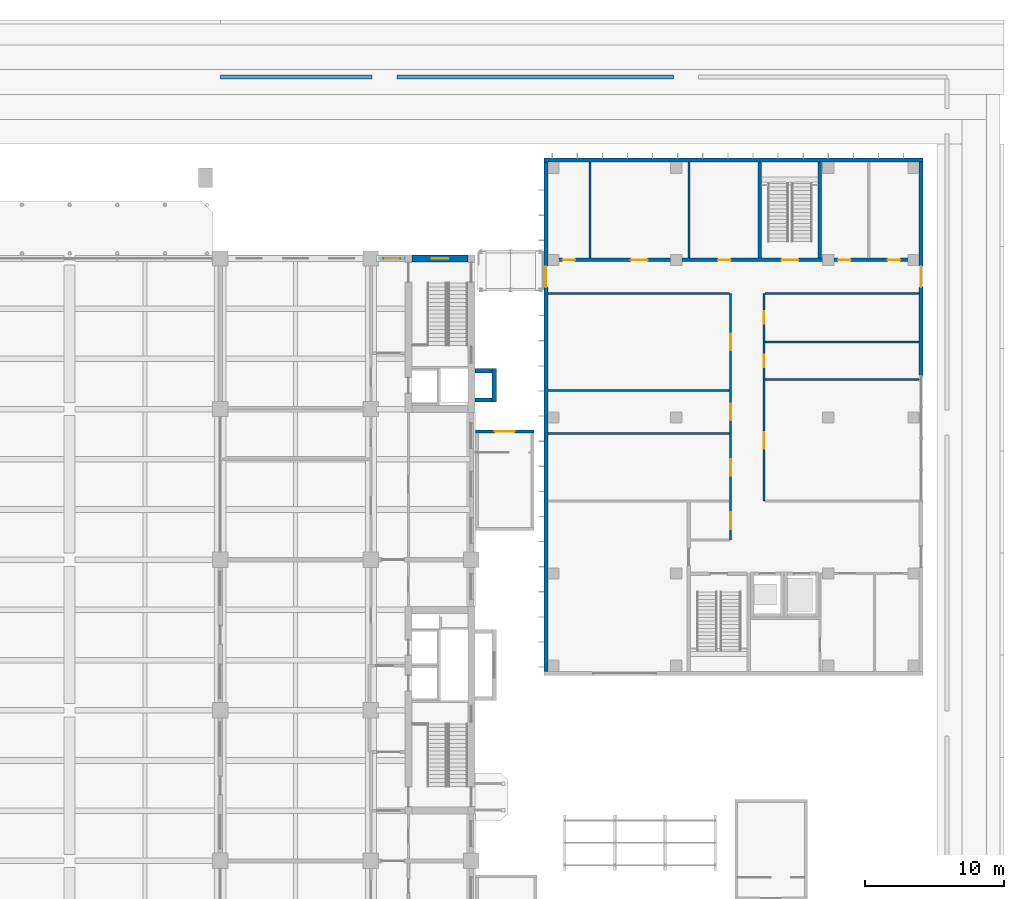
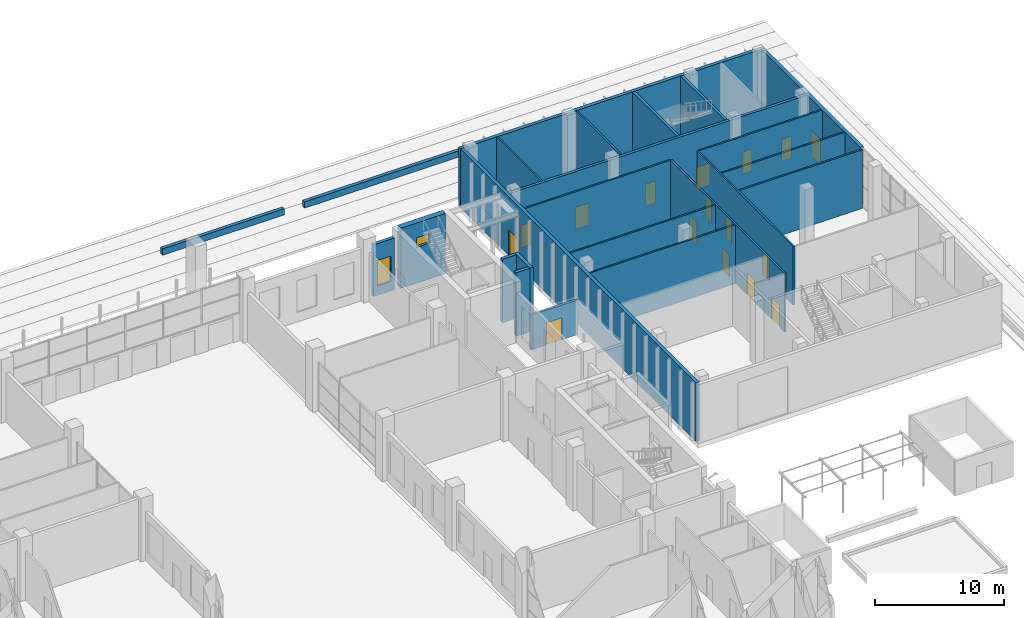
# One storey, part 57 of 71: 24 walls, 16 doors, 2 windows, 18 openings.
"""IFC4 building model written with IfcOpenShell, lengths in metres."""

from ifc_helpers import new_model, si_unit, direction, frame, frame_2d, origin, place, context, subcontext, project, spatial, rectangle, extrude, material, layer, layer_set, type_object, element, fill, save


model = new_model("IFC4")

# Units and contexts
model_context = context("Model", 3, precision=1e-05, world=origin(), true_north=direction((0.0, 1.0)))
body_context = subcontext(model_context, "Body", "Model", "MODEL_VIEW")
ifc_project = project(units=[si_unit("LENGTHUNIT", "METRE"), si_unit("AREAUNIT", "SQUARE_METRE"), si_unit("VOLUMEUNIT", "CUBIC_METRE"), si_unit("PLANEANGLEUNIT", "RADIAN"), si_unit("MASSUNIT", "GRAM", prefix="KILO")], contexts=[model_context])

# Site, building, storey
site_placement = place(None, origin())
site = spatial("IfcSite", under=ifc_project, at=site_placement, CompositionType="ELEMENT")
building_placement = place(site_placement, origin())
building = spatial("IfcBuilding", under=site, at=building_placement, Name="Basin Gate Institute", CompositionType="ELEMENT")
storey_placement = place(building_placement, origin())
storey = spatial("IfcBuildingStorey", under=building, at=storey_placement, Name="L00", CompositionType="ELEMENT", Elevation=0.0)

# Wall, openings, doors
ifc_material_1 = material(Name="Concrete 40 MPa", Category="concrete")
ifc_layer_1 = layer(ifc_material_1, 0.25)
ifc_layer_set_1 = layer_set([ifc_layer_1], Name="Concrete 40 MPa")
wall_type_1 = type_object("IfcWallType", Name="Block enclosure wall W73 REI 120", PredefinedType="SOLIDWALL", material=ifc_layer_set_1)
wall_1_placement = place(storey_placement, frame((124.300048828125, 99.800048828125, 0.0), z_axis=(0.0, 0.0, 1.0), x_axis=(1.0, 0.0, 0.0)))
wall_1 = element("IfcWall", 1, at=wall_1_placement, inside=storey, type_object=wall_type_1, material=ifc_layer_set_1, Name="Stair and lift enclosure wall Cx9980-12 L00", PredefinedType="SOLIDWALL", context=body_context, shape_type="SweptSolid", body=[
    extrude(rectangle(XDim=26.599853515625, YDim=0.25, at=frame_2d((13.2998046875, 0.0))), origin(), (0.0, 0.0, 1.0), 5.550048828125),
])
opening_1_placement = place(wall_1_placement, frame((1.050048828125, 0.0, 0.0)))
opening_1 = element("IfcOpeningElement", 2, at=opening_1_placement, cuts=wall_1, Name="Opening D1011", PredefinedType="OPENING", context=body_context, shape_type="SweptSolid", body=[
    extrude(rectangle(XDim=0.89990234375, YDim=2.10009765625, at=frame_2d((0.449951171875, 1.050048828125))), frame((0.0, 0.135009765625, 0.0), z_axis=(0.0, -1.0, 0.0), x_axis=(1.0, 0.0, 0.0)), (0.0, 0.0, 1.0), 0.27001953125),
])
opening_2_placement = place(wall_1_placement, frame((5.949951171875, 0.0, 0.0)))
opening_2 = element("IfcOpeningElement", 3, at=opening_2_placement, cuts=wall_1, Name="Opening D1012", PredefinedType="OPENING", context=body_context, shape_type="SweptSolid", body=[
    extrude(rectangle(XDim=1.199951171875, YDim=2.10009765625, at=frame_2d((0.60009765625, 1.050048828125))), frame((0.0, 0.135009765625, 0.0), z_axis=(0.0, -1.0, 0.0), x_axis=(1.0, 0.0, 0.0)), (0.0, 0.0, 1.0), 0.27001953125),
])
opening_3_placement = place(wall_1_placement, frame((20.800048828125, 0.0, 0.0)))
opening_3 = element("IfcOpeningElement", 4, at=opening_3_placement, cuts=wall_1, Name="Opening D1013", PredefinedType="OPENING", context=body_context, shape_type="SweptSolid", body=[
    extrude(rectangle(XDim=0.89990234375, YDim=2.10009765625, at=frame_2d((0.449951171875, 1.050048828125))), frame((0.0, 0.135009765625, 0.0), z_axis=(0.0, -1.0, 0.0), x_axis=(1.0, 0.0, 0.0)), (0.0, 0.0, 1.0), 0.27001953125),
])
opening_4_placement = place(wall_1_placement, frame((24.35009765625, 0.0, 0.0)))
opening_4 = element("IfcOpeningElement", 5, at=opening_4_placement, cuts=wall_1, Name="Opening D1014", PredefinedType="OPENING", context=body_context, shape_type="SweptSolid", body=[
    extrude(rectangle(XDim=0.89990234375, YDim=2.10009765625, at=frame_2d((0.449951171875, 1.050048828125))), frame((0.0, 0.135009765625, 0.0), z_axis=(0.0, -1.0, 0.0), x_axis=(1.0, 0.0, 0.0)), (0.0, 0.0, 1.0), 0.27001953125),
])
opening_5_placement = place(wall_1_placement, frame((12.199951171875, 0.0, 0.0)))
opening_5 = element("IfcOpeningElement", 6, at=opening_5_placement, cuts=wall_1, Name="Opening D1016", PredefinedType="OPENING", context=body_context, shape_type="SweptSolid", body=[
    extrude(rectangle(XDim=0.89990234375, YDim=2.10009765625, at=frame_2d((0.449951171875, 1.050048828125))), frame((0.0, 0.135009765625, 0.0), z_axis=(0.0, -1.0, 0.0), x_axis=(1.0, 0.0, 0.0)), (0.0, 0.0, 1.0), 0.27001953125),
])
opening_6_placement = place(wall_1_placement, frame((16.75, 0.0, 0.0)))
opening_6 = element("IfcOpeningElement", 7, at=opening_6_placement, cuts=wall_1, Name="Opening D1018", PredefinedType="OPENING", context=body_context, shape_type="SweptSolid", body=[
    extrude(rectangle(XDim=1.199951171875, YDim=2.10009765625, at=frame_2d((0.60009765625, 1.050048828125))), frame((0.0, 0.135009765625, 0.0), z_axis=(0.0, -1.0, 0.0), x_axis=(1.0, 0.0, 0.0)), (0.0, 0.0, 1.0), 0.27001953125),
])
ifc_material_2 = material(Name="Timber door leaf in steel frame", Category="steel")
door_type_1 = type_object("IfcDoorType", Name="Block door 900 single swing", OperationType="NOTDEFINED", PredefinedType="DOOR", material=ifc_material_2)
door_1_placement = place(opening_1_placement, origin())
door_1 = element("IfcDoor", 8, at=door_1_placement, inside=storey, type_object=door_type_1, material=ifc_material_2, Name="Cleaning Store door L00", OperationType="SINGLE_SWING_LEFT", OverallHeight=2.10009765625, OverallWidth=0.89990234375, PredefinedType="DOOR", context=body_context, shape_type="SweptSolid", body=[
    extrude(rectangle(XDim=0.89990234375, YDim=2.10009765625, at=frame_2d((0.449951171875, 1.050048828125))), frame((0.0, 0.02490234375, 0.0), z_axis=(0.0, -1.0, 0.0), x_axis=(1.0, 0.0, 0.0)), (0.0, 0.0, 1.0), 0.050048828125),
])
fill(opening_1, door_1)
door_2_placement = place(opening_3_placement, origin())
door_2 = element("IfcDoor", 9, at=door_2_placement, inside=storey, type_object=door_type_1, material=ifc_material_2, Name="Male WC door L00", OperationType="SINGLE_SWING_LEFT", OverallHeight=2.10009765625, OverallWidth=0.89990234375, PredefinedType="DOOR", context=body_context, shape_type="SweptSolid", body=[
    extrude(rectangle(XDim=0.89990234375, YDim=2.10009765625, at=frame_2d((0.449951171875, 1.050048828125))), frame((0.0, 0.02490234375, 0.0), z_axis=(0.0, -1.0, 0.0), x_axis=(1.0, 0.0, 0.0)), (0.0, 0.0, 1.0), 0.050048828125),
])
fill(opening_3, door_2)
door_3_placement = place(opening_4_placement, origin())
door_3 = element("IfcDoor", 10, at=door_3_placement, inside=storey, type_object=door_type_1, material=ifc_material_2, Name="Accessible WC door L00", OperationType="SINGLE_SWING_RIGHT", OverallHeight=2.10009765625, OverallWidth=0.89990234375, PredefinedType="DOOR", context=body_context, shape_type="SweptSolid", body=[
    extrude(rectangle(XDim=0.89990234375, YDim=2.10009765625, at=frame_2d((0.449951171875, 1.050048828125))), frame((0.0, 0.02490234375, 0.0), z_axis=(0.0, -1.0, 0.0), x_axis=(1.0, 0.0, 0.0)), (0.0, 0.0, 1.0), 0.050048828125),
])
fill(opening_4, door_3)
door_4_placement = place(opening_5_placement, origin())
door_4 = element("IfcDoor", 11, at=door_4_placement, inside=storey, type_object=door_type_1, material=ifc_material_2, Name="Utility Room door L00", OperationType="SINGLE_SWING_RIGHT", OverallHeight=2.10009765625, OverallWidth=0.89990234375, PredefinedType="DOOR", context=body_context, shape_type="SweptSolid", body=[
    extrude(rectangle(XDim=0.89990234375, YDim=2.10009765625, at=frame_2d((0.449951171875, 1.050048828125))), frame((0.0, 0.02490234375, 0.0), z_axis=(0.0, -1.0, 0.0), x_axis=(1.0, 0.0, 0.0)), (0.0, 0.0, 1.0), 0.050048828125),
])
fill(opening_5, door_4)
ifc_material_3 = material(Name="Steel fire door leaf", Category="steel")
door_type_2 = type_object("IfcDoorType", Name="FD60 door 1200 single swing", OperationType="NOTDEFINED", PredefinedType="DOOR", material=ifc_material_3)
door_5_placement = place(opening_2_placement, origin())
door_5 = element("IfcDoor", 12, at=door_5_placement, inside=storey, type_object=door_type_2, material=ifc_material_3, Name="Electrical Room door L00", OperationType="SINGLE_SWING_RIGHT", OverallHeight=2.10009765625, OverallWidth=1.199951171875, PredefinedType="DOOR", context=body_context, shape_type="SweptSolid", body=[
    extrude(rectangle(XDim=1.199951171875, YDim=2.10009765625, at=frame_2d((0.60009765625, 1.050048828125))), frame((0.0, 0.02490234375, 0.0), z_axis=(0.0, -1.0, 0.0), x_axis=(1.0, 0.0, 0.0)), (0.0, 0.0, 1.0), 0.050048828125),
])
fill(opening_2, door_5)
door_6_placement = place(opening_6_placement, origin())
door_6 = element("IfcDoor", 13, at=door_6_placement, inside=storey, type_object=door_type_2, material=ifc_material_3, Name="Stair door ST-C5 L00", OperationType="SINGLE_SWING_RIGHT", OverallHeight=2.10009765625, OverallWidth=1.199951171875, PredefinedType="DOOR", context=body_context, shape_type="SweptSolid", body=[
    extrude(rectangle(XDim=1.199951171875, YDim=2.10009765625, at=frame_2d((0.60009765625, 1.050048828125))), frame((0.0, 0.02490234375, 0.0), z_axis=(0.0, -1.0, 0.0), x_axis=(1.0, 0.0, 0.0)), (0.0, 0.0, 1.0), 0.050048828125),
])
fill(opening_6, door_6)

# Walls
for number, where, z_axis, x_axis, name in (
    (14, (139.5, 99.925048828125, 0.0), (0.0, 0.0, 1.0), (0.0, 1.0, 0.0), "Stair and lift enclosure wall Cy13950-18 L00"),
    (15, (143.800048828125, 99.925048828125, 0.0), (0.0, 0.0, 1.0), (0.0, 1.0, 0.0), "Stair and lift enclosure wall Cy14380-21 L00"),
):
    element("IfcWall", number, at=place(storey_placement, frame(where, z_axis=z_axis, x_axis=x_axis)), inside=storey, type_object=wall_type_1, material=ifc_layer_set_1, Name=name, PredefinedType="SOLIDWALL", context=body_context, shape_type="SweptSolid", body=[
        extrude(rectangle(XDim=6.875, YDim=0.25, at=frame_2d((3.4375, 0.0))), origin(), (0.0, 0.0, 1.0), 5.550048828125),
    ])
ifc_material_4 = material(Name="Concrete 50 MPa", Category="concrete")
ifc_layer_2 = layer(ifc_material_4, 0.300048828125)
ifc_layer_set_2 = layer_set([ifc_layer_2], Name="Concrete 50 MPa")
wall_type_2 = type_object("IfcWallType", Name="Clean block external wall W81 REI 180", PredefinedType="SOLIDWALL", material=ifc_layer_set_2)
wall_2_placement = place(storey_placement, frame((124.0, 106.949951171875, 0.0), z_axis=(0.0, 0.0, 1.0), x_axis=(1.0, 0.0, 0.0)))
element("IfcWall", 16, at=wall_2_placement, inside=storey, type_object=wall_type_2, material=ifc_layer_set_2, Name="Clean block external wall north L00", PredefinedType="SOLIDWALL", context=body_context, shape_type="SweptSolid", body=[
    extrude(rectangle(XDim=27.199951171875, YDim=0.300048828125, at=frame_2d((13.60009765625, 0.0))), origin(), (0.0, 0.0, 1.0), 5.550048828125),
])

# Wall, opening, door
wall_3_placement = place(storey_placement, frame((124.14990234375, 70.300048828125, 0.0), z_axis=(0.0, 0.0, 1.0), x_axis=(0.0, 1.0, 0.0)))
wall_3 = element("IfcWall", 17, at=wall_3_placement, inside=storey, type_object=wall_type_2, material=ifc_layer_set_2, Name="Clean block external wall west L00", PredefinedType="SOLIDWALL", context=body_context, shape_type="SweptSolid", body=[
    extrude(rectangle(XDim=36.5, YDim=0.300048828125, at=frame_2d((18.25, 0.0))), origin(), (0.0, 0.0, 1.0), 5.550048828125),
])
opening_7_placement = place(wall_3_placement, frame((27.550048828125, 0.0, 0.0)))
opening_7 = element("IfcOpeningElement", 18, at=opening_7_placement, cuts=wall_3, Name="Opening D1091", PredefinedType="OPENING", context=body_context, shape_type="SweptSolid", body=[
    extrude(rectangle(XDim=1.5, YDim=2.39990234375, at=frame_2d((0.75, 1.199951171875))), frame((0.0, 0.16015625, 0.0), z_axis=(0.0, -1.0, 0.0), x_axis=(1.0, 0.0, 0.0)), (0.0, 0.0, 1.0), 0.320068359375),
])
ifc_material_5 = material(Name="Steel fire door leaf with fire-rated glazed vision panel", Category="steel")
door_type_3 = type_object("IfcDoorType", Name="FD60 Exit door 1500 single swing", OperationType="NOTDEFINED", PredefinedType="DOOR", material=ifc_material_5)
door_7_placement = place(opening_7_placement, origin())
door_7 = element("IfcDoor", 19, at=door_7_placement, inside=storey, type_object=door_type_3, material=ifc_material_5, Name="Final exit Clean block west 98.6", OperationType="SINGLE_SWING_LEFT", OverallHeight=2.39990234375, OverallWidth=1.5, PredefinedType="DOOR", context=body_context, shape_type="SweptSolid", body=[
    extrude(rectangle(XDim=1.5, YDim=2.39990234375, at=frame_2d((0.75, 1.199951171875))), frame((0.0, 0.02490234375, 0.0), z_axis=(0.0, -1.0, 0.0), x_axis=(1.0, 0.0, 0.0)), (0.0, 0.0, 1.0), 0.050048828125),
])
fill(opening_7, door_7)

wall_4_placement = place(storey_placement, frame((151.050048828125, 91.5, 0.0), z_axis=(0.0, 0.0, 1.0), x_axis=(0.0, 1.0, 0.0)))
wall_4 = element("IfcWall", 20, at=wall_4_placement, inside=storey, type_object=wall_type_2, material=ifc_layer_set_2, Name="Clean block external wall east L00", PredefinedType="SOLIDWALL", context=body_context, shape_type="SweptSolid", body=[
    extrude(rectangle(XDim=15.300048828125, YDim=0.300048828125, at=frame_2d((7.64990234375, 0.0))), origin(), (0.0, 0.0, 1.0), 5.550048828125),
])
opening_8_placement = place(wall_4_placement, frame((6.35009765625, 0.0, 0.0)))
opening_8 = element("IfcOpeningElement", 21, at=opening_8_placement, cuts=wall_4, Name="Opening D1090", PredefinedType="OPENING", context=body_context, shape_type="SweptSolid", body=[
    extrude(rectangle(XDim=1.5, YDim=2.39990234375, at=frame_2d((0.75, 1.199951171875))), frame((0.0, 0.16015625, 0.0), z_axis=(0.0, -1.0, 0.0), x_axis=(1.0, 0.0, 0.0)), (0.0, 0.0, 1.0), 0.320068359375),
])
door_8_placement = place(opening_8_placement, frame((1.5, 0.0, 0.0), z_axis=(0.0, 0.0, 1.0), x_axis=(-1.0, 0.0, 0.0)))
door_8 = element("IfcDoor", 22, at=door_8_placement, inside=storey, type_object=door_type_3, material=ifc_material_5, Name="Final exit Clean block E 98.6", OperationType="SINGLE_SWING_RIGHT", OverallHeight=2.39990234375, OverallWidth=1.5, PredefinedType="DOOR", context=body_context, shape_type="SweptSolid", body=[
    extrude(rectangle(XDim=1.5, YDim=2.39990234375, at=frame_2d((0.75, 1.199951171875))), frame((0.0, 0.02490234375, 0.0), z_axis=(0.0, -1.0, 0.0), x_axis=(1.0, 0.0, 0.0)), (0.0, 0.0, 1.0), 0.050048828125),
])
fill(opening_8, door_8)

# Walls
ifc_material_6 = material(Name="Gypsum board partition on steel studs, 60 minute", Category="steel")
ifc_layer_3 = layer(ifc_material_6, 0.14990234375)
ifc_layer_set_3 = layer_set([ifc_layer_3], Name="Gypsum board partition on steel studs, 60 minute")
wall_type_3 = type_object("IfcWallType", Name="Clean block partition PW72 EI 60", PredefinedType="SOLIDWALL", material=ifc_layer_set_3)
for number, where, z_axis, x_axis, name in (
    (23, (124.300048828125, 87.337890625, 0.0), (0.0, 0.0, 1.0), (1.0, 0.0, 0.0), "Clean block partition Cx8734-6 L00"),
    (24, (124.300048828125, 90.43408203125, 0.0), (0.0, 0.0, 1.0), (1.0, 0.0, 0.0), "Clean block partition Cx9043-7 L00"),
):
    element("IfcWall", number, at=place(storey_placement, frame(where, z_axis=z_axis, x_axis=x_axis)), inside=storey, type_object=wall_type_3, material=ifc_layer_set_3, Name=name, PredefinedType="SOLIDWALL", context=body_context, shape_type="SweptSolid", body=[
        extrude(rectangle(XDim=13.02490234375, YDim=0.14990234375, at=frame_2d((6.512451171875, 0.0))), origin(), (0.0, 0.0, 1.0), 5.550048828125),
    ])
for number, where, z_axis, x_axis, name in (
    (25, (139.875, 91.2080078125, 0.0), (0.0, 0.0, 1.0), (1.0, 0.0, 0.0), "Clean block partition Cx9121-8 L00"),
    (26, (139.875, 93.9169921875, 0.0), (0.0, 0.0, 1.0), (1.0, 0.0, 0.0), "Clean block partition Cx9392-9 L00"),
):
    element("IfcWall", number, at=place(storey_placement, frame(where, z_axis=z_axis, x_axis=x_axis)), inside=storey, type_object=wall_type_3, material=ifc_layer_set_3, Name=name, PredefinedType="SOLIDWALL", context=body_context, shape_type="SweptSolid", body=[
        extrude(rectangle(XDim=11.02490234375, YDim=0.14990234375, at=frame_2d((5.512451171875, 0.0))), origin(), (0.0, 0.0, 1.0), 5.550048828125),
    ])
wall_5_placement = place(storey_placement, frame((124.300048828125, 97.39990234375, 0.0), z_axis=(0.0, 0.0, 1.0), x_axis=(1.0, 0.0, 0.0)))
element("IfcWall", 27, at=wall_5_placement, inside=storey, type_object=wall_type_3, material=ifc_layer_set_3, Name="Clean block partition Cx9740-10 L00", PredefinedType="SOLIDWALL", context=body_context, shape_type="SweptSolid", body=[
    extrude(rectangle(XDim=13.02490234375, YDim=0.14990234375, at=frame_2d((6.512451171875, 0.0))), origin(), (0.0, 0.0, 1.0), 5.550048828125),
])
wall_6_placement = place(storey_placement, frame((139.875, 97.39990234375, 0.0), z_axis=(0.0, 0.0, 1.0), x_axis=(1.0, 0.0, 0.0)))
element("IfcWall", 28, at=wall_6_placement, inside=storey, type_object=wall_type_3, material=ifc_layer_set_3, Name="Clean block partition Cx9740-11 L00", PredefinedType="SOLIDWALL", context=body_context, shape_type="SweptSolid", body=[
    extrude(rectangle(XDim=11.02490234375, YDim=0.14990234375, at=frame_2d((5.512451171875, 0.0))), origin(), (0.0, 0.0, 1.0), 5.550048828125),
])
for number, where, z_axis, x_axis, name in (
    (29, (127.300048828125, 99.925048828125, 0.0), (0.0, 0.0, 1.0), (0.0, 1.0, 0.0), "Clean block partition Cy12730-13 L00"),
    (30, (134.39990234375, 99.925048828125, 0.0), (0.0, 0.0, 1.0), (0.0, 1.0, 0.0), "Clean block partition Cy13440-15 L00"),
):
    element("IfcWall", number, at=place(storey_placement, frame(where, z_axis=z_axis, x_axis=x_axis)), inside=storey, type_object=wall_type_3, material=ifc_layer_set_3, Name=name, PredefinedType="SOLIDWALL", context=body_context, shape_type="SweptSolid", body=[
        extrude(rectangle(XDim=6.875, YDim=0.14990234375, at=frame_2d((3.4375, 0.0))), origin(), (0.0, 0.0, 1.0), 5.550048828125),
    ])

# Wall, openings, doors
wall_7_placement = place(storey_placement, frame((137.39990234375, 79.699951171875, 0.0), z_axis=(0.0, 0.0, 1.0), x_axis=(0.0, 1.0, 0.0)))
wall_7 = element("IfcWall", 31, at=wall_7_placement, inside=storey, type_object=wall_type_3, material=ifc_layer_set_3, Name="Clean block partition Cy13740-16 L00", PredefinedType="SOLIDWALL", context=body_context, shape_type="SweptSolid", body=[
    extrude(rectangle(XDim=17.699951171875, YDim=0.14990234375, at=frame_2d((8.85009765625, 0.0))), origin(), (0.0, 0.0, 1.0), 5.550048828125),
])
opening_9_placement = place(wall_7_placement, frame((0.800048828125, 0.0, 0.0)))
opening_9 = element("IfcOpeningElement", 32, at=opening_9_placement, cuts=wall_7, Name="Opening D1002", PredefinedType="OPENING", context=body_context, shape_type="SweptSolid", body=[
    extrude(rectangle(XDim=1.199951171875, YDim=2.10009765625, at=frame_2d((0.60009765625, 1.050048828125))), frame((0.0, 0.0849609375, 0.0), z_axis=(0.0, -1.0, 0.0), x_axis=(1.0, 0.0, 0.0)), (0.0, 0.0, 1.0), 0.169921875),
])
opening_10_placement = place(wall_7_placement, frame((4.618896484375, 0.0, 0.0)))
opening_10 = element("IfcOpeningElement", 33, at=opening_10_placement, cuts=wall_7, Name="Opening D1005", PredefinedType="OPENING", context=body_context, shape_type="SweptSolid", body=[
    extrude(rectangle(XDim=1.199951171875, YDim=2.10009765625, at=frame_2d((0.60009765625, 1.050048828125))), frame((0.0, 0.0849609375, 0.0), z_axis=(0.0, -1.0, 0.0), x_axis=(1.0, 0.0, 0.0)), (0.0, 0.0, 1.0), 0.169921875),
])
opening_11_placement = place(wall_7_placement, frame((8.5859375, 0.0, 0.0)))
opening_11 = element("IfcOpeningElement", 34, at=opening_11_placement, cuts=wall_7, Name="Opening D1006", PredefinedType="OPENING", context=body_context, shape_type="SweptSolid", body=[
    extrude(rectangle(XDim=1.199951171875, YDim=2.10009765625, at=frame_2d((0.60009765625, 1.050048828125))), frame((0.0, 0.0849609375, 0.0), z_axis=(0.0, -1.0, 0.0), x_axis=(1.0, 0.0, 0.0)), (0.0, 0.0, 1.0), 0.169921875),
])
opening_12_placement = place(wall_7_placement, frame((13.616943359375, 0.0, 0.0)))
opening_12 = element("IfcOpeningElement", 35, at=opening_12_placement, cuts=wall_7, Name="Opening D1007", PredefinedType="OPENING", context=body_context, shape_type="SweptSolid", body=[
    extrude(rectangle(XDim=1.199951171875, YDim=2.10009765625, at=frame_2d((0.60009765625, 1.050048828125))), frame((0.0, 0.0849609375, 0.0), z_axis=(0.0, -1.0, 0.0), x_axis=(1.0, 0.0, 0.0)), (0.0, 0.0, 1.0), 0.169921875),
])
ifc_material_7 = material(Name="Timber door leaf in steel frame", Category="steel")
door_type_4 = type_object("IfcDoorType", Name="Block door 1200 single swing", OperationType="NOTDEFINED", PredefinedType="DOOR", material=ifc_material_7)
door_9_placement = place(opening_9_placement, frame((1.199951171875, 0.0, 0.0), z_axis=(0.0, 0.0, 1.0), x_axis=(-1.0, 0.0, 0.0)))
door_9 = element("IfcDoor", 36, at=door_9_placement, inside=storey, type_object=door_type_4, material=ifc_material_7, Name="Goods Lobby door L00", OperationType="SINGLE_SWING_RIGHT", OverallHeight=2.10009765625, OverallWidth=1.199951171875, PredefinedType="DOOR", context=body_context, shape_type="SweptSolid", body=[
    extrude(rectangle(XDim=1.199951171875, YDim=2.10009765625, at=frame_2d((0.60009765625, 1.050048828125))), frame((0.0, 0.02490234375, 0.0), z_axis=(0.0, -1.0, 0.0), x_axis=(1.0, 0.0, 0.0)), (0.0, 0.0, 1.0), 0.050048828125),
])
fill(opening_9, door_9)
door_10_placement = place(opening_10_placement, origin())
door_10 = element("IfcDoor", 37, at=door_10_placement, inside=storey, type_object=door_type_4, material=ifc_material_7, Name="Gowning Airlock door L00", OperationType="SINGLE_SWING_RIGHT", OverallHeight=2.10009765625, OverallWidth=1.199951171875, PredefinedType="DOOR", context=body_context, shape_type="SweptSolid", body=[
    extrude(rectangle(XDim=1.199951171875, YDim=2.10009765625, at=frame_2d((0.60009765625, 1.050048828125))), frame((0.0, 0.02490234375, 0.0), z_axis=(0.0, -1.0, 0.0), x_axis=(1.0, 0.0, 0.0)), (0.0, 0.0, 1.0), 0.050048828125),
])
fill(opening_10, door_10)
door_11_placement = place(opening_11_placement, origin())
door_11 = element("IfcDoor", 38, at=door_11_placement, inside=storey, type_object=door_type_4, material=ifc_material_7, Name="Material Airlock door L00", OperationType="SINGLE_SWING_RIGHT", OverallHeight=2.10009765625, OverallWidth=1.199951171875, PredefinedType="DOOR", context=body_context, shape_type="SweptSolid", body=[
    extrude(rectangle(XDim=1.199951171875, YDim=2.10009765625, at=frame_2d((0.60009765625, 1.050048828125))), frame((0.0, 0.02490234375, 0.0), z_axis=(0.0, -1.0, 0.0), x_axis=(1.0, 0.0, 0.0)), (0.0, 0.0, 1.0), 0.050048828125),
])
fill(opening_11, door_11)
door_12_placement = place(opening_12_placement, origin())
door_12 = element("IfcDoor", 39, at=door_12_placement, inside=storey, type_object=door_type_4, material=ifc_material_7, Name="Clean Room ISO 7 1 door L00", OperationType="SINGLE_SWING_RIGHT", OverallHeight=2.10009765625, OverallWidth=1.199951171875, PredefinedType="DOOR", context=body_context, shape_type="SweptSolid", body=[
    extrude(rectangle(XDim=1.199951171875, YDim=2.10009765625, at=frame_2d((0.60009765625, 1.050048828125))), frame((0.0, 0.02490234375, 0.0), z_axis=(0.0, -1.0, 0.0), x_axis=(1.0, 0.0, 0.0)), (0.0, 0.0, 1.0), 0.050048828125),
])
fill(opening_12, door_12)

wall_8_placement = place(storey_placement, frame((139.800048828125, 82.5, 0.0), z_axis=(0.0, 0.0, 1.0), x_axis=(0.0, 1.0, 0.0)))
wall_8 = element("IfcWall", 40, at=wall_8_placement, inside=storey, type_object=wall_type_3, material=ifc_layer_set_3, Name="Clean block partition Cy13980-19 L00", PredefinedType="SOLIDWALL", context=body_context, shape_type="SweptSolid", body=[
    extrude(rectangle(XDim=14.89990234375, YDim=0.14990234375, at=frame_2d((7.449951171875, 0.0))), origin(), (0.0, 0.0, 1.0), 5.550048828125),
])
opening_13_placement = place(wall_8_placement, frame((3.75390625, 0.0, 0.0)))
opening_13 = element("IfcOpeningElement", 41, at=opening_13_placement, cuts=wall_8, Name="Opening D1008", PredefinedType="OPENING", context=body_context, shape_type="SweptSolid", body=[
    extrude(rectangle(XDim=1.199951171875, YDim=2.10009765625, at=frame_2d((0.60009765625, 1.050048828125))), frame((0.0, 0.0849609375, 0.0), z_axis=(0.0, -1.0, 0.0), x_axis=(1.0, 0.0, 0.0)), (0.0, 0.0, 1.0), 0.169921875),
])
opening_14_placement = place(wall_8_placement, frame((9.612548828125, 0.0, 0.0)))
opening_14 = element("IfcOpeningElement", 42, at=opening_14_placement, cuts=wall_8, Name="Opening D1009", PredefinedType="OPENING", context=body_context, shape_type="SweptSolid", body=[
    extrude(rectangle(XDim=0.89990234375, YDim=2.10009765625, at=frame_2d((0.449951171875, 1.050048828125))), frame((0.0, 0.0849609375, 0.0), z_axis=(0.0, -1.0, 0.0), x_axis=(1.0, 0.0, 0.0)), (0.0, 0.0, 1.0), 0.169921875),
])
opening_15_placement = place(wall_8_placement, frame((12.70849609375, 0.0, 0.0)))
opening_15 = element("IfcOpeningElement", 43, at=opening_15_placement, cuts=wall_8, Name="Opening D1010", PredefinedType="OPENING", context=body_context, shape_type="SweptSolid", body=[
    extrude(rectangle(XDim=0.89990234375, YDim=2.10009765625, at=frame_2d((0.449951171875, 1.050048828125))), frame((0.0, 0.0849609375, 0.0), z_axis=(0.0, -1.0, 0.0), x_axis=(1.0, 0.0, 0.0)), (0.0, 0.0, 1.0), 0.169921875),
])
door_13_placement = place(opening_13_placement, frame((1.199951171875, 0.0, 0.0), z_axis=(0.0, 0.0, 1.0), x_axis=(-1.0, 0.0, 0.0)))
door_13 = element("IfcDoor", 44, at=door_13_placement, inside=storey, type_object=door_type_4, material=ifc_material_7, Name="Viewing Gallery door L00", OperationType="SINGLE_SWING_RIGHT", OverallHeight=2.10009765625, OverallWidth=1.199951171875, PredefinedType="DOOR", context=body_context, shape_type="SweptSolid", body=[
    extrude(rectangle(XDim=1.199951171875, YDim=2.10009765625, at=frame_2d((0.60009765625, 1.050048828125))), frame((0.0, 0.02490234375, 0.0), z_axis=(0.0, -1.0, 0.0), x_axis=(1.0, 0.0, 0.0)), (0.0, 0.0, 1.0), 0.050048828125),
])
fill(opening_13, door_13)
door_14_placement = place(opening_14_placement, frame((0.89990234375, 0.0, 0.0), z_axis=(0.0, 0.0, 1.0), x_axis=(-1.0, 0.0, 0.0)))
door_14 = element("IfcDoor", 45, at=door_14_placement, inside=storey, type_object=door_type_1, material=ifc_material_2, Name="Utility Room door L00", OperationType="SINGLE_SWING_RIGHT", OverallHeight=2.10009765625, OverallWidth=0.89990234375, PredefinedType="DOOR", context=body_context, shape_type="SweptSolid", body=[
    extrude(rectangle(XDim=0.89990234375, YDim=2.10009765625, at=frame_2d((0.449951171875, 1.050048828125))), frame((0.0, 0.02490234375, 0.0), z_axis=(0.0, -1.0, 0.0), x_axis=(1.0, 0.0, 0.0)), (0.0, 0.0, 1.0), 0.050048828125),
])
fill(opening_14, door_14)
door_15_placement = place(opening_15_placement, frame((0.89990234375, 0.0, 0.0), z_axis=(0.0, 0.0, 1.0), x_axis=(-1.0, 0.0, 0.0)))
door_15 = element("IfcDoor", 46, at=door_15_placement, inside=storey, type_object=door_type_1, material=ifc_material_2, Name="Female WC door L00", OperationType="SINGLE_SWING_RIGHT", OverallHeight=2.10009765625, OverallWidth=0.89990234375, PredefinedType="DOOR", context=body_context, shape_type="SweptSolid", body=[
    extrude(rectangle(XDim=0.89990234375, YDim=2.10009765625, at=frame_2d((0.449951171875, 1.050048828125))), frame((0.0, 0.02490234375, 0.0), z_axis=(0.0, -1.0, 0.0), x_axis=(1.0, 0.0, 0.0)), (0.0, 0.0, 1.0), 0.050048828125),
])
fill(opening_15, door_15)

# Walls
ifc_material_8 = material(Name="Concrete 35 MPa", Category="concrete")
ifc_layer_4 = layer(ifc_material_8, 0.300048828125)
ifc_layer_set_4 = layer_set([ifc_layer_4], Name="Concrete 35 MPa")
wall_type_4 = type_object("IfcWallType", Name="Edge planter wall PL2", PredefinedType="SOLIDWALL", material=ifc_layer_set_4)
wall_9_placement = place(storey_placement, frame((100.800048828125, 112.909912109375, 0.0), z_axis=(0.0, 0.0, 1.0), x_axis=(1.0, 0.0, 0.0)))
element("IfcWall", 47, at=wall_9_placement, inside=storey, type_object=wall_type_4, material=ifc_layer_set_4, Name="Edge planter wall N10", PredefinedType="SOLIDWALL", context=body_context, shape_type="SweptSolid", body=[
    extrude(rectangle(XDim=10.889892578125, YDim=0.300048828125, at=frame_2d((5.44482421875, 0.0))), origin(), (0.0, 0.0, 1.0), 0.60009765625),
])
wall_10_placement = place(storey_placement, frame((113.489990234375, 112.909912109375, 0.0), z_axis=(0.0, 0.0, 1.0), x_axis=(1.0, 0.0, 0.0)))
element("IfcWall", 48, at=wall_10_placement, inside=storey, type_object=wall_type_4, material=ifc_layer_set_4, Name="Edge planter wall N11", PredefinedType="SOLIDWALL", context=body_context, shape_type="SweptSolid", body=[
    extrude(rectangle(XDim=19.800048828125, YDim=0.300048828125, at=frame_2d((9.89990234375, 0.0))), origin(), (0.0, 0.0, 1.0), 0.60009765625),
])

# Wall, opening, window
ifc_material_9 = material(Name="Aluminium-faced insulated panel wall", Category="aluminium")
ifc_layer_5 = layer(ifc_material_9, 0.300048828125)
ifc_layer_set_5 = layer_set([ifc_layer_5], Name="External wall EW1 EI 120")
wall_type_5 = type_object("IfcWallType", Name="External wall EW1 EI 120", PredefinedType="STANDARD", material=ifc_layer_set_5)
wall_11_placement = place(storey_placement, frame((114.050048828125, 99.89990234375, 0.0), z_axis=(0.0, 0.0, 1.0), x_axis=(-1.0, 0.0, 0.0)))
wall_11 = element("IfcWall", 49, at=wall_11_placement, inside=storey, type_object=wall_type_5, material=ifc_layer_set_5, Name="External end wall E wing north L00 1", PredefinedType="STANDARD", context=body_context, shape_type="SweptSolid", body=[
    extrude(rectangle(XDim=1.900146484375, YDim=0.300048828125, at=frame_2d((0.9501953125, 0.0))), origin(), (0.0, 0.0, 1.0), 4.89990234375),
])
opening_16_placement = place(wall_11_placement, frame((0.35009765625, 0.0, 0.89990234375)))
opening_16 = element("IfcOpeningElement", 50, at=opening_16_placement, cuts=wall_11, Name="Opening WN4", PredefinedType="OPENING", context=body_context, shape_type="SweptSolid", body=[
    extrude(rectangle(XDim=1.199951171875, YDim=2.39990234375, at=frame_2d((0.60009765625, 1.199951171875))), frame((0.0, 0.16015625, 0.0), z_axis=(0.0, -1.0, 0.0), x_axis=(1.0, 0.0, 0.0)), (0.0, 0.0, 1.0), 0.320068359375),
])
ifc_material_10 = material(Name="Aluminium-framed double glazing", Category="aluminium")
window_type_1 = type_object("IfcWindowType", Name="Corridor end window WN4", PartitioningType="SINGLE_PANEL", PredefinedType="WINDOW", material=ifc_material_10)
window_1_placement = place(opening_16_placement, origin())
window_1 = element("IfcWindow", 51, at=window_1_placement, inside=storey, type_object=window_type_1, material=ifc_material_10, Name="Corridor end window E wing N L00", OverallHeight=2.39990234375, OverallWidth=1.199951171875, PartitioningType="SINGLE_PANEL", PredefinedType="WINDOW", context=body_context, shape_type="SweptSolid", body=[
    extrude(rectangle(XDim=1.199951171875, YDim=2.39990234375, at=frame_2d((0.60009765625, 1.199951171875))), frame((0.0, 0.030029296875, 0.0), z_axis=(0.0, -1.0, 0.0), x_axis=(1.0, 0.0, 0.0)), (0.0, 0.0, 1.0), 0.06005859375),
])
fill(opening_16, window_1)

# Wall, opening, door
ifc_material_11 = material(Name="Concrete 35 MPa", Category="concrete")
ifc_layer_6 = layer(ifc_material_11, 0.199951171875)
ifc_layer_set_6 = layer_set([ifc_layer_6], Name="Concrete 35 MPa")
wall_type_6 = type_object("IfcWallType", Name="Stair head house wall 200", PredefinedType="SOLIDWALL", material=ifc_layer_set_6)
wall_12_placement = place(storey_placement, frame((119.10009765625, 87.5, 0.0), z_axis=(0.0, 0.0, 1.0), x_axis=(1.0, 0.0, 0.0)))
wall_12 = element("IfcWall", 52, at=wall_12_placement, inside=storey, type_object=wall_type_6, material=ifc_layer_set_6, Name="Stair head house BS4 wall", PredefinedType="SOLIDWALL", context=body_context, shape_type="SweptSolid", body=[
    extrude(rectangle(XDim=4.199951171875, YDim=0.199951171875, at=frame_2d((2.10009765625, 0.0))), origin(), (0.0, 0.0, 1.0), 3.300048828125),
])
opening_17_placement = place(wall_12_placement, frame((1.39990234375, 0.0, 0.0)))
opening_17 = element("IfcOpeningElement", 53, at=opening_17_placement, cuts=wall_12, Name="Opening DB904", PredefinedType="OPENING", context=body_context, shape_type="SweptSolid", body=[
    extrude(rectangle(XDim=1.39990234375, YDim=2.10009765625, at=frame_2d((0.699951171875, 1.050048828125))), frame((0.0, 0.10986328125, 0.0), z_axis=(0.0, -1.0, 0.0), x_axis=(1.0, 0.0, 0.0)), (0.0, 0.0, 1.0), 0.219970703125),
])
ifc_material_12 = material(Name="Steel door set", Category="steel")
door_type_5 = type_object("IfcDoorType", Name="Final exit door 1400x2100", OperationType="DOUBLE_DOOR_SINGLE_SWING", PredefinedType="DOOR", material=ifc_material_12)
door_16_placement = place(opening_17_placement, origin())
door_16 = element("IfcDoor", 54, at=door_16_placement, inside=storey, type_object=door_type_5, material=ifc_material_12, Name="Final exit BS4", OperationType="DOUBLE_DOOR_SINGLE_SWING", OverallHeight=2.10009765625, OverallWidth=1.39990234375, PredefinedType="DOOR", context=body_context, shape_type="SweptSolid", body=[
    extrude(rectangle(XDim=1.39990234375, YDim=2.10009765625, at=frame_2d((0.699951171875, 1.050048828125))), frame((0.0, 0.02490234375, 0.0), z_axis=(0.0, -1.0, 0.0), x_axis=(1.0, 0.0, 0.0)), (0.0, 0.0, 1.0), 0.050048828125),
])
fill(opening_17, door_16)

# Walls
ifc_material_13 = material(Name="Concrete 50 MPa", Category="concrete")
ifc_layer_7 = layer(ifc_material_13, 0.300048828125)
ifc_layer_set_7 = layer_set([ifc_layer_7], Name="Concrete 50 MPa")
wall_type_7 = type_object("IfcWallType", Name="Wall SK1 R180", PredefinedType="SHEAR", material=ifc_layer_set_7)
wall_13_placement = place(storey_placement, frame((120.449951171875, 89.60009765625, 0.0), z_axis=(0.0, 0.0, 1.0), x_axis=(0.0, 1.0, 0.0)))
element("IfcWall", 55, at=wall_13_placement, inside=storey, type_object=wall_type_7, material=ifc_layer_set_7, Name="Spine riser stack wall SK1 EN F L00", PredefinedType="SHEAR", context=body_context, shape_type="SweptSolid", body=[
    extrude(rectangle(XDim=2.39990234375, YDim=0.300048828125, at=frame_2d((1.199951171875, 0.0))), origin(), (0.0, 0.0, 1.0), 6.0),
])
for number, where, z_axis, x_axis, name in (
    (56, (119.050048828125, 89.75, 0.0), (0.0, 0.0, 1.0), (1.0, 0.0, 0.0), "Spine riser stack wall SK1 EN A L00"),
    (57, (119.050048828125, 91.85009765625, 0.0), (0.0, 0.0, 1.0), (1.0, 0.0, 0.0), "Spine riser stack wall SK1 EN B L00"),
):
    element("IfcWall", number, at=place(storey_placement, frame(where, z_axis=z_axis, x_axis=x_axis)), inside=storey, type_object=wall_type_7, material=ifc_layer_set_7, Name=name, PredefinedType="SHEAR", context=body_context, shape_type="SweptSolid", body=[
        extrude(rectangle(XDim=1.25, YDim=0.300048828125, at=frame_2d((0.625, 0.0))), origin(), (0.0, 0.0, 1.0), 6.0),
    ])

# Wall, opening, window
ifc_material_14 = material(Name="Concrete 60 MPa", Category="concrete")
ifc_layer_8 = layer(ifc_material_14, 0.5)
ifc_layer_set_8 = layer_set([ifc_layer_8], Name="Concrete 60 MPa")
wall_type_8 = type_object("IfcWallType", Name="Wall SW1 R180", PredefinedType="SHEAR", material=ifc_layer_set_8)
wall_14_placement = place(storey_placement, frame((118.550048828125, 99.89990234375, 0.0), z_axis=(0.0, 0.0, 1.0), x_axis=(-1.0, 0.0, 0.0)))
wall_14 = element("IfcWall", 58, at=wall_14_placement, inside=storey, type_object=wall_type_8, material=ifc_layer_set_8, Name="WALL/L00/EN/N", PredefinedType="SHEAR", context=body_context, shape_type="SweptSolid", body=[
    extrude(rectangle(XDim=4.0, YDim=0.5, at=frame_2d((2.0, 0.0))), origin(), (0.0, 0.0, 1.0), 5.699951171875),
])
opening_18_placement = place(wall_14_placement, frame((1.39990234375, 0.0, 3.39990234375)))
opening_18 = element("IfcOpeningElement", 59, at=opening_18_placement, cuts=wall_14, Name="Opening WT1", PredefinedType="OPENING", context=body_context, shape_type="SweptSolid", body=[
    extrude(rectangle(XDim=1.199951171875, YDim=0.89990234375, at=frame_2d((0.60009765625, 0.449951171875))), frame((0.0, 0.260009765625, 0.0), z_axis=(0.0, -1.0, 0.0), x_axis=(1.0, 0.0, 0.0)), (0.0, 0.0, 1.0), 0.52001953125),
])
ifc_material_15 = material(Name="Fire-resistant glazing in steel-free frame", Category="steel")
window_type_2 = type_object("IfcWindowType", Name="Rated stair window EI 180 WT1", PartitioningType="SINGLE_PANEL", PredefinedType="WINDOW", material=ifc_material_15)
window_2_placement = place(opening_18_placement, origin())
window_2 = element("IfcWindow", 60, at=window_2_placement, inside=storey, type_object=window_type_2, material=ifc_material_15, Name="Rated stair window EI 180 EN end L00", OverallHeight=0.89990234375, OverallWidth=1.199951171875, PartitioningType="SINGLE_PANEL", PredefinedType="WINDOW", context=body_context, shape_type="SweptSolid", body=[
    extrude(rectangle(XDim=1.199951171875, YDim=0.89990234375, at=frame_2d((0.60009765625, 0.449951171875))), frame((0.0, 0.030029296875, 0.0), z_axis=(0.0, -1.0, 0.0), x_axis=(1.0, 0.0, 0.0)), (0.0, 0.0, 1.0), 0.06005859375),
])
fill(opening_18, window_2)

save(model, "model.ifc")
